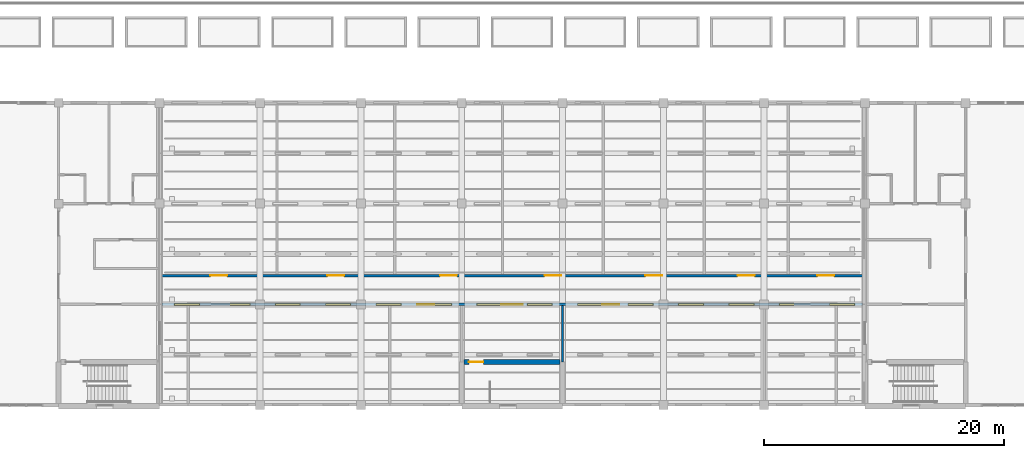
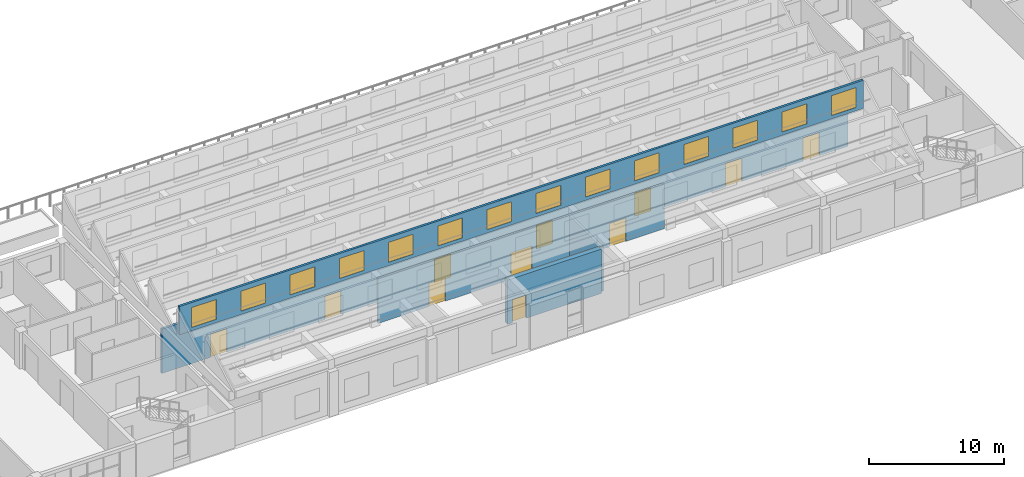
# One storey, part 34 of 61: 14 windows, 11 doors, 5 walls, 25 openings.
"""IFC4 building model written with IfcOpenShell, lengths in metres."""

from ifc_helpers import new_model, si_unit, direction, frame, frame_2d, origin, place, context, subcontext, project, spatial, rectangle, extrude, material, layer, layer_set, type_object, element, fill, save


model = new_model("IFC4")

# Units and contexts
model_context = context("Model", 3, precision=1e-05, world=origin(), true_north=direction((0.0, 1.0)))
body_context = subcontext(model_context, "Body", "Model", "MODEL_VIEW")
ifc_project = project(units=[si_unit("LENGTHUNIT", "METRE"), si_unit("AREAUNIT", "SQUARE_METRE"), si_unit("VOLUMEUNIT", "CUBIC_METRE"), si_unit("PLANEANGLEUNIT", "RADIAN"), si_unit("MASSUNIT", "GRAM", prefix="KILO")], contexts=[model_context])

# Site, building, storey
site_placement = place(None, origin())
site = spatial("IfcSite", under=ifc_project, at=site_placement, CompositionType="ELEMENT")
building_placement = place(site_placement, origin())
building = spatial("IfcBuilding", under=site, at=building_placement, Name="Yavir Park General Hospital", CompositionType="ELEMENT")
storey_placement = place(building_placement, frame((0.0, 0.0, 15.300048828125)))
storey = spatial("IfcBuildingStorey", under=building, at=storey_placement, Name="L03", CompositionType="ELEMENT", Elevation=15.300048828125)

# Wall, openings, doors
ifc_material_1 = material(Name="Double gypsum board fire partition on steel studs", Category="steel")
ifc_layer_1 = layer(ifc_material_1, 0.199951171875)
ifc_layer_set_1 = layer_set([ifc_layer_1], Name="Double gypsum board fire partition on steel studs")
wall_type_1 = type_object("IfcWallType", Name="Fire-rated partition 200, EI 60", PredefinedType="PARTITIONING", material=ifc_layer_set_1)
wall_1_placement = place(storey_placement, frame((59.175048828125, 8.39990234375, 0.0), z_axis=(0.0, 0.0, 1.0), x_axis=(1.0, 0.0, 0.0)))
wall_1 = element("IfcWall", 1, at=wall_1_placement, inside=storey, type_object=wall_type_1, Name="FP20 L03-020", PredefinedType="PARTITIONING", context=body_context, shape_type="SweptSolid", body=[
    extrude(rectangle(XDim=24.449951171875, YDim=0.199951171875, at=frame_2d((12.22509765625, 0.0))), origin(), (0.0, 0.0, 1.0), 4.0),
])
opening_1_placement = place(wall_1_placement, frame((4.324951171875, 0.0, 0.0)))
opening_1 = element("IfcOpeningElement", 2, at=opening_1_placement, cuts=wall_1, Name="Opening L03.D027", PredefinedType="OPENING", context=body_context, shape_type="SweptSolid", body=[
    extrude(rectangle(XDim=1.39990234375, YDim=2.10009765625, at=frame_2d((0.699951171875, 1.050048828125))), frame((0.0, 0.10986328125, 0.0), z_axis=(0.0, -1.0, 0.0), x_axis=(1.0, 0.0, 0.0)), (0.0, 0.0, 1.0), 0.219970703125),
])
opening_2_placement = place(wall_1_placement, frame((11.324951171875, 0.0, 0.0)))
opening_2 = element("IfcOpeningElement", 3, at=opening_2_placement, cuts=wall_1, Name="Opening L03.D028", PredefinedType="OPENING", context=body_context, shape_type="SweptSolid", body=[
    extrude(rectangle(XDim=1.800048828125, YDim=2.39990234375, at=frame_2d((0.89990234375, 1.199951171875))), frame((0.0, 0.10986328125, 0.0), z_axis=(0.0, -1.0, 0.0), x_axis=(1.0, 0.0, 0.0)), (0.0, 0.0, 1.0), 0.219970703125),
])
opening_3_placement = place(wall_1_placement, frame((19.737548828125, 0.0, 0.0)))
opening_3 = element("IfcOpeningElement", 4, at=opening_3_placement, cuts=wall_1, Name="Opening L03.D029", PredefinedType="OPENING", context=body_context, shape_type="SweptSolid", body=[
    extrude(rectangle(XDim=1.39990234375, YDim=2.10009765625, at=frame_2d((0.699951171875, 1.050048828125))), frame((0.0, 0.10986328125, 0.0), z_axis=(0.0, -1.0, 0.0), x_axis=(1.0, 0.0, 0.0)), (0.0, 0.0, 1.0), 0.219970703125),
])
ifc_material_2 = material(Name="Steel frame, fire-resisting timber leaves", Category="steel")
door_type_1 = type_object("IfcDoorType", Name="Double fire door 1400 x 2100, EI 60", OperationType="DOUBLE_DOOR_SINGLE_SWING", PredefinedType="DOOR", material=ifc_material_2)
door_1_placement = place(opening_1_placement, origin())
door_1 = element("IfcDoor", 5, at=door_1_placement, inside=storey, type_object=door_type_1, Name="L03.D027", OperationType="SINGLE_SWING_LEFT", OverallHeight=2.10009765625, OverallWidth=1.39990234375, PredefinedType="DOOR", context=body_context, shape_type="SweptSolid", body=[
    extrude(rectangle(XDim=1.39990234375, YDim=2.10009765625, at=frame_2d((0.699951171875, 1.050048828125))), frame((0.0, 0.02490234375, 0.0), z_axis=(0.0, -1.0, 0.0), x_axis=(1.0, 0.0, 0.0)), (0.0, 0.0, 1.0), 0.050048828125),
])
fill(opening_1, door_1)
door_2_placement = place(opening_3_placement, origin())
door_2 = element("IfcDoor", 6, at=door_2_placement, inside=storey, type_object=door_type_1, Name="L03.D029", OperationType="SINGLE_SWING_LEFT", OverallHeight=2.10009765625, OverallWidth=1.39990234375, PredefinedType="DOOR", context=body_context, shape_type="SweptSolid", body=[
    extrude(rectangle(XDim=1.39990234375, YDim=2.10009765625, at=frame_2d((0.699951171875, 1.050048828125))), frame((0.0, 0.02490234375, 0.0), z_axis=(0.0, -1.0, 0.0), x_axis=(1.0, 0.0, 0.0)), (0.0, 0.0, 1.0), 0.050048828125),
])
fill(opening_3, door_2)
ifc_material_3 = material(Name="Steel frame, fire-resisting leaves with vision panels", Category="steel")
door_type_2 = type_object("IfcDoorType", Name="Double fire door with vision panels 1800 x 2400, EI 60", OperationType="DOUBLE_DOOR_SINGLE_SWING", PredefinedType="DOOR", material=ifc_material_3)
door_3_placement = place(opening_2_placement, origin())
door_3 = element("IfcDoor", 7, at=door_3_placement, inside=storey, type_object=door_type_2, Name="L03.D028", OperationType="SINGLE_SWING_LEFT", OverallHeight=2.39990234375, OverallWidth=1.800048828125, PredefinedType="DOOR", context=body_context, shape_type="SweptSolid", body=[
    extrude(rectangle(XDim=1.800048828125, YDim=2.39990234375, at=frame_2d((0.89990234375, 1.199951171875))), frame((0.0, 0.030029296875, 0.0), z_axis=(0.0, -1.0, 0.0), x_axis=(1.0, 0.0, 0.0)), (0.0, 0.0, 1.0), 0.06005859375),
])
fill(opening_2, door_3)

wall_2_placement = place(storey_placement, frame((42.10009765625, 10.800048828125, 0.0), z_axis=(0.0, 0.0, 1.0), x_axis=(1.0, 0.0, 0.0)))
wall_2 = element("IfcWall", 8, at=wall_2_placement, inside=storey, type_object=wall_type_1, Name="FP20 L03-029", PredefinedType="PARTITIONING", context=body_context, shape_type="SweptSolid", body=[
    extrude(rectangle(XDim=58.574951171875, YDim=0.199951171875, at=frame_2d((29.28759765625, 0.0))), origin(), (0.0, 0.0, 1.0), 4.0),
])
opening_4_placement = place(wall_2_placement, frame((4.14990234375, 0.0, 0.0)))
opening_4 = element("IfcOpeningElement", 9, at=opening_4_placement, cuts=wall_2, Name="Opening L03.D039", PredefinedType="OPENING", context=body_context, shape_type="SweptSolid", body=[
    extrude(rectangle(XDim=1.39990234375, YDim=2.10009765625, at=frame_2d((0.699951171875, 1.050048828125))), frame((0.0, 0.10986328125, 0.0), z_axis=(0.0, -1.0, 0.0), x_axis=(1.0, 0.0, 0.0)), (0.0, 0.0, 1.0), 0.219970703125),
])
opening_5_placement = place(wall_2_placement, frame((13.89990234375, 0.0, 0.0)))
opening_5 = element("IfcOpeningElement", 10, at=opening_5_placement, cuts=wall_2, Name="Opening L03.D040", PredefinedType="OPENING", context=body_context, shape_type="SweptSolid", body=[
    extrude(rectangle(XDim=1.39990234375, YDim=2.10009765625, at=frame_2d((0.699951171875, 1.050048828125))), frame((0.0, 0.10986328125, 0.0), z_axis=(0.0, -1.0, 0.0), x_axis=(1.0, 0.0, 0.0)), (0.0, 0.0, 1.0), 0.219970703125),
])
opening_6_placement = place(wall_2_placement, frame((23.300048828125, 0.0, 0.0)))
opening_6 = element("IfcOpeningElement", 11, at=opening_6_placement, cuts=wall_2, Name="Opening L03.D041", PredefinedType="OPENING", context=body_context, shape_type="SweptSolid", body=[
    extrude(rectangle(XDim=1.39990234375, YDim=2.10009765625, at=frame_2d((0.699951171875, 1.050048828125))), frame((0.0, 0.10986328125, 0.0), z_axis=(0.0, -1.0, 0.0), x_axis=(1.0, 0.0, 0.0)), (0.0, 0.0, 1.0), 0.219970703125),
])
opening_7_placement = place(wall_2_placement, frame((32.0, 0.0, 0.0)))
opening_7 = element("IfcOpeningElement", 12, at=opening_7_placement, cuts=wall_2, Name="Opening L03.D042", PredefinedType="OPENING", context=body_context, shape_type="SweptSolid", body=[
    extrude(rectangle(XDim=1.39990234375, YDim=2.10009765625, at=frame_2d((0.699951171875, 1.050048828125))), frame((0.0, 0.10986328125, 0.0), z_axis=(0.0, -1.0, 0.0), x_axis=(1.0, 0.0, 0.0)), (0.0, 0.0, 1.0), 0.219970703125),
])
opening_8_placement = place(wall_2_placement, frame((40.39990234375, 0.0, 0.0)))
opening_8 = element("IfcOpeningElement", 13, at=opening_8_placement, cuts=wall_2, Name="Opening L03.D043", PredefinedType="OPENING", context=body_context, shape_type="SweptSolid", body=[
    extrude(rectangle(XDim=1.39990234375, YDim=2.10009765625, at=frame_2d((0.699951171875, 1.050048828125))), frame((0.0, 0.10986328125, 0.0), z_axis=(0.0, -1.0, 0.0), x_axis=(1.0, 0.0, 0.0)), (0.0, 0.0, 1.0), 0.219970703125),
])
opening_9_placement = place(wall_2_placement, frame((48.10009765625, 0.0, 0.0)))
opening_9 = element("IfcOpeningElement", 14, at=opening_9_placement, cuts=wall_2, Name="Opening L03.D044", PredefinedType="OPENING", context=body_context, shape_type="SweptSolid", body=[
    extrude(rectangle(XDim=1.39990234375, YDim=2.10009765625, at=frame_2d((0.699951171875, 1.050048828125))), frame((0.0, 0.10986328125, 0.0), z_axis=(0.0, -1.0, 0.0), x_axis=(1.0, 0.0, 0.0)), (0.0, 0.0, 1.0), 0.219970703125),
])
opening_10_placement = place(wall_2_placement, frame((54.737548828125, 0.0, 0.0)))
opening_10 = element("IfcOpeningElement", 15, at=opening_10_placement, cuts=wall_2, Name="Opening L03.D045", PredefinedType="OPENING", context=body_context, shape_type="SweptSolid", body=[
    extrude(rectangle(XDim=1.39990234375, YDim=2.10009765625, at=frame_2d((0.699951171875, 1.050048828125))), frame((0.0, 0.10986328125, 0.0), z_axis=(0.0, -1.0, 0.0), x_axis=(1.0, 0.0, 0.0)), (0.0, 0.0, 1.0), 0.219970703125),
])
door_4_placement = place(opening_4_placement, origin())
door_4 = element("IfcDoor", 16, at=door_4_placement, inside=storey, type_object=door_type_1, Name="L03.D039", OperationType="SINGLE_SWING_LEFT", OverallHeight=2.10009765625, OverallWidth=1.39990234375, PredefinedType="DOOR", context=body_context, shape_type="SweptSolid", body=[
    extrude(rectangle(XDim=1.39990234375, YDim=2.10009765625, at=frame_2d((0.699951171875, 1.050048828125))), frame((0.0, 0.02490234375, 0.0), z_axis=(0.0, -1.0, 0.0), x_axis=(1.0, 0.0, 0.0)), (0.0, 0.0, 1.0), 0.050048828125),
])
fill(opening_4, door_4)
door_5_placement = place(opening_5_placement, origin())
door_5 = element("IfcDoor", 17, at=door_5_placement, inside=storey, type_object=door_type_1, Name="L03.D040", OperationType="SINGLE_SWING_RIGHT", OverallHeight=2.10009765625, OverallWidth=1.39990234375, PredefinedType="DOOR", context=body_context, shape_type="SweptSolid", body=[
    extrude(rectangle(XDim=1.39990234375, YDim=2.10009765625, at=frame_2d((0.699951171875, 1.050048828125))), frame((0.0, 0.02490234375, 0.0), z_axis=(0.0, -1.0, 0.0), x_axis=(1.0, 0.0, 0.0)), (0.0, 0.0, 1.0), 0.050048828125),
])
fill(opening_5, door_5)
door_6_placement = place(opening_6_placement, origin())
door_6 = element("IfcDoor", 18, at=door_6_placement, inside=storey, type_object=door_type_1, Name="L03.D041", OperationType="SINGLE_SWING_RIGHT", OverallHeight=2.10009765625, OverallWidth=1.39990234375, PredefinedType="DOOR", context=body_context, shape_type="SweptSolid", body=[
    extrude(rectangle(XDim=1.39990234375, YDim=2.10009765625, at=frame_2d((0.699951171875, 1.050048828125))), frame((0.0, 0.02490234375, 0.0), z_axis=(0.0, -1.0, 0.0), x_axis=(1.0, 0.0, 0.0)), (0.0, 0.0, 1.0), 0.050048828125),
])
fill(opening_6, door_6)
door_7_placement = place(opening_7_placement, origin())
door_7 = element("IfcDoor", 19, at=door_7_placement, inside=storey, type_object=door_type_1, Name="L03.D042", OperationType="SINGLE_SWING_RIGHT", OverallHeight=2.10009765625, OverallWidth=1.39990234375, PredefinedType="DOOR", context=body_context, shape_type="SweptSolid", body=[
    extrude(rectangle(XDim=1.39990234375, YDim=2.10009765625, at=frame_2d((0.699951171875, 1.050048828125))), frame((0.0, 0.02490234375, 0.0), z_axis=(0.0, -1.0, 0.0), x_axis=(1.0, 0.0, 0.0)), (0.0, 0.0, 1.0), 0.050048828125),
])
fill(opening_7, door_7)
door_8_placement = place(opening_8_placement, origin())
door_8 = element("IfcDoor", 20, at=door_8_placement, inside=storey, type_object=door_type_1, Name="L03.D043", OperationType="SINGLE_SWING_RIGHT", OverallHeight=2.10009765625, OverallWidth=1.39990234375, PredefinedType="DOOR", context=body_context, shape_type="SweptSolid", body=[
    extrude(rectangle(XDim=1.39990234375, YDim=2.10009765625, at=frame_2d((0.699951171875, 1.050048828125))), frame((0.0, 0.02490234375, 0.0), z_axis=(0.0, -1.0, 0.0), x_axis=(1.0, 0.0, 0.0)), (0.0, 0.0, 1.0), 0.050048828125),
])
fill(opening_8, door_8)
door_9_placement = place(opening_9_placement, origin())
door_9 = element("IfcDoor", 21, at=door_9_placement, inside=storey, type_object=door_type_1, Name="L03.D044", OperationType="SINGLE_SWING_RIGHT", OverallHeight=2.10009765625, OverallWidth=1.39990234375, PredefinedType="DOOR", context=body_context, shape_type="SweptSolid", body=[
    extrude(rectangle(XDim=1.39990234375, YDim=2.10009765625, at=frame_2d((0.699951171875, 1.050048828125))), frame((0.0, 0.02490234375, 0.0), z_axis=(0.0, -1.0, 0.0), x_axis=(1.0, 0.0, 0.0)), (0.0, 0.0, 1.0), 0.050048828125),
])
fill(opening_9, door_9)
door_10_placement = place(opening_10_placement, origin())
door_10 = element("IfcDoor", 22, at=door_10_placement, inside=storey, type_object=door_type_1, Name="L03.D045", OperationType="SINGLE_SWING_RIGHT", OverallHeight=2.10009765625, OverallWidth=1.39990234375, PredefinedType="DOOR", context=body_context, shape_type="SweptSolid", body=[
    extrude(rectangle(XDim=1.39990234375, YDim=2.10009765625, at=frame_2d((0.699951171875, 1.050048828125))), frame((0.0, 0.02490234375, 0.0), z_axis=(0.0, -1.0, 0.0), x_axis=(1.0, 0.0, 0.0)), (0.0, 0.0, 1.0), 0.050048828125),
])
fill(opening_10, door_10)

# Wall
wall_3_placement = place(storey_placement, frame((75.60009765625, 3.60009765625, 0.0), z_axis=(0.0, 0.0, 1.0), x_axis=(0.0, 1.0, 0.0)))
element("IfcWall", 23, at=wall_3_placement, inside=storey, type_object=wall_type_1, Name="FP20 L03-237", PredefinedType="PARTITIONING", context=body_context, shape_type="SweptSolid", body=[
    extrude(rectangle(XDim=4.699951171875, YDim=0.199951171875, at=frame_2d((2.35009765625, 0.0))), origin(), (0.0, 0.0, 1.0), 4.0),
])

# Wall, opening, door
ifc_material_4 = material(Name="Concrete C35/45", Category="concrete")
ifc_layer_2 = layer(ifc_material_4, 0.39990234375)
ifc_layer_set_2 = layer_set([ifc_layer_2], Name="Concrete C35/45")
wall_type_2 = type_object("IfcWallType", Name="Reinforced concrete core wall 400, REI 150", PredefinedType="SHEAR", material=ifc_layer_set_2)
wall_4_placement = place(storey_placement, frame((67.39990234375, 3.60009765625, 0.0), z_axis=(0.0, 0.0, 1.0), x_axis=(1.0, 0.0, 0.0)))
wall_4 = element("IfcWall", 24, at=wall_4_placement, inside=storey, type_object=wall_type_2, Name="CW40 L03-002", PredefinedType="SHEAR", context=body_context, shape_type="SweptSolid", body=[
    extrude(rectangle(XDim=8.0, YDim=0.39990234375, at=frame_2d((4.0, 0.0))), origin(), (0.0, 0.0, 1.0), 4.0),
])
opening_11_placement = place(wall_4_placement, frame((0.39990234375, 0.0, 0.0)))
opening_11 = element("IfcOpeningElement", 25, at=opening_11_placement, cuts=wall_4, Name="Opening L03.D002", PredefinedType="OPENING", context=body_context, shape_type="SweptSolid", body=[
    extrude(rectangle(XDim=1.199951171875, YDim=2.10009765625, at=frame_2d((0.60009765625, 1.050048828125))), frame((0.0, 0.2099609375, 0.0), z_axis=(0.0, -1.0, 0.0), x_axis=(1.0, 0.0, 0.0)), (0.0, 0.0, 1.0), 0.419921875),
])
ifc_material_5 = material(Name="Steel frame, fire-resisting timber leaf", Category="steel")
door_type_3 = type_object("IfcDoorType", Name="Fire door 1200 x 2100, EI 60", OperationType="SINGLE_SWING_LEFT", PredefinedType="DOOR", material=ifc_material_5)
door_11_placement = place(opening_11_placement, origin())
door_11 = element("IfcDoor", 26, at=door_11_placement, inside=storey, type_object=door_type_3, Name="L03.D002", OperationType="SINGLE_SWING_LEFT", OverallHeight=2.10009765625, OverallWidth=1.199951171875, PredefinedType="DOOR", context=body_context, shape_type="SweptSolid", body=[
    extrude(rectangle(XDim=1.199951171875, YDim=2.10009765625, at=frame_2d((0.60009765625, 1.050048828125))), frame((0.0, 0.02490234375, 0.0), z_axis=(0.0, -1.0, 0.0), x_axis=(1.0, 0.0, 0.0)), (0.0, 0.0, 1.0), 0.050048828125),
])
fill(opening_11, door_11)

# Wall, openings, windows
ifc_material_6 = material(Name="Concrete C30/37 upstand with 80 mm mineral wool insulation", Category="concrete")
ifc_layer_3 = layer(ifc_material_6, 0.199951171875)
ifc_layer_set_3 = layer_set([ifc_layer_3], Name="Concrete C30/37 upstand with 80 mm mineral wool insulation")
wall_type_3 = type_object("IfcWallType", Name="Reinforced concrete louvre upstand wall 200, E 30", PredefinedType="SOLIDWALL", material=ifc_layer_set_3)
wall_5_placement = place(storey_placement, frame((42.2099609375, 8.39990234375, 4.904052734375), z_axis=(0.0, 0.0, 1.0), x_axis=(1.0, 0.0, 0.0)))
wall_5 = element("IfcWall", 27, at=wall_5_placement, inside=storey, type_object=wall_type_3, Name="XW11 L03-S02", PredefinedType="SOLIDWALL", context=body_context, shape_type="SweptSolid", body=[
    extrude(rectangle(XDim=58.380126953125, YDim=0.199951171875, at=frame_2d((29.18994140625, 0.0))), origin(), (0.0, 0.0, 1.0), 2.538818359375),
])
opening_12_placement = place(wall_5_placement, frame((1.050048828125, 0.0, 0.300048828125)))
opening_12 = element("IfcOpeningElement", 28, at=opening_12_placement, cuts=wall_5, Name="Opening LV5", PredefinedType="OPENING", context=body_context, shape_type="SweptSolid", body=[
    extrude(rectangle(XDim=2.10009765625, YDim=1.800048828125, at=frame_2d((1.050048828125, 0.89990234375))), frame((0.0, 0.10986328125, 0.0), z_axis=(0.0, -1.0, 0.0), x_axis=(1.0, 0.0, 0.0)), (0.0, 0.0, 1.0), 0.219970703125),
])
opening_13_placement = place(wall_5_placement, frame((5.25, 0.0, 0.300048828125)))
opening_13 = element("IfcOpeningElement", 29, at=opening_13_placement, cuts=wall_5, Name="Opening LV5", PredefinedType="OPENING", context=body_context, shape_type="SweptSolid", body=[
    extrude(rectangle(XDim=2.10009765625, YDim=1.800048828125, at=frame_2d((1.050048828125, 0.89990234375))), frame((0.0, 0.10986328125, 0.0), z_axis=(0.0, -1.0, 0.0), x_axis=(1.0, 0.0, 0.0)), (0.0, 0.0, 1.0), 0.219970703125),
])
opening_14_placement = place(wall_5_placement, frame((9.449951171875, 0.0, 0.300048828125)))
opening_14 = element("IfcOpeningElement", 30, at=opening_14_placement, cuts=wall_5, Name="Opening LV5", PredefinedType="OPENING", context=body_context, shape_type="SweptSolid", body=[
    extrude(rectangle(XDim=2.10009765625, YDim=1.800048828125, at=frame_2d((1.050048828125, 0.89990234375))), frame((0.0, 0.10986328125, 0.0), z_axis=(0.0, -1.0, 0.0), x_axis=(1.0, 0.0, 0.0)), (0.0, 0.0, 1.0), 0.219970703125),
])
opening_15_placement = place(wall_5_placement, frame((13.64990234375, 0.0, 0.300048828125)))
opening_15 = element("IfcOpeningElement", 31, at=opening_15_placement, cuts=wall_5, Name="Opening LV5", PredefinedType="OPENING", context=body_context, shape_type="SweptSolid", body=[
    extrude(rectangle(XDim=2.10009765625, YDim=1.800048828125, at=frame_2d((1.050048828125, 0.89990234375))), frame((0.0, 0.10986328125, 0.0), z_axis=(0.0, -1.0, 0.0), x_axis=(1.0, 0.0, 0.0)), (0.0, 0.0, 1.0), 0.219970703125),
])
opening_16_placement = place(wall_5_placement, frame((17.85009765625, 0.0, 0.300048828125)))
opening_16 = element("IfcOpeningElement", 32, at=opening_16_placement, cuts=wall_5, Name="Opening LV5", PredefinedType="OPENING", context=body_context, shape_type="SweptSolid", body=[
    extrude(rectangle(XDim=2.10009765625, YDim=1.800048828125, at=frame_2d((1.050048828125, 0.89990234375))), frame((0.0, 0.10986328125, 0.0), z_axis=(0.0, -1.0, 0.0), x_axis=(1.0, 0.0, 0.0)), (0.0, 0.0, 1.0), 0.219970703125),
])
opening_17_placement = place(wall_5_placement, frame((22.050048828125, 0.0, 0.300048828125)))
opening_17 = element("IfcOpeningElement", 33, at=opening_17_placement, cuts=wall_5, Name="Opening LV5", PredefinedType="OPENING", context=body_context, shape_type="SweptSolid", body=[
    extrude(rectangle(XDim=2.10009765625, YDim=1.800048828125, at=frame_2d((1.050048828125, 0.89990234375))), frame((0.0, 0.10986328125, 0.0), z_axis=(0.0, -1.0, 0.0), x_axis=(1.0, 0.0, 0.0)), (0.0, 0.0, 1.0), 0.219970703125),
])
opening_18_placement = place(wall_5_placement, frame((26.25, 0.0, 0.300048828125)))
opening_18 = element("IfcOpeningElement", 34, at=opening_18_placement, cuts=wall_5, Name="Opening LV5", PredefinedType="OPENING", context=body_context, shape_type="SweptSolid", body=[
    extrude(rectangle(XDim=2.10009765625, YDim=1.800048828125, at=frame_2d((1.050048828125, 0.89990234375))), frame((0.0, 0.10986328125, 0.0), z_axis=(0.0, -1.0, 0.0), x_axis=(1.0, 0.0, 0.0)), (0.0, 0.0, 1.0), 0.219970703125),
])
opening_19_placement = place(wall_5_placement, frame((30.449951171875, 0.0, 0.300048828125)))
opening_19 = element("IfcOpeningElement", 35, at=opening_19_placement, cuts=wall_5, Name="Opening LV5", PredefinedType="OPENING", context=body_context, shape_type="SweptSolid", body=[
    extrude(rectangle(XDim=2.10009765625, YDim=1.800048828125, at=frame_2d((1.050048828125, 0.89990234375))), frame((0.0, 0.10986328125, 0.0), z_axis=(0.0, -1.0, 0.0), x_axis=(1.0, 0.0, 0.0)), (0.0, 0.0, 1.0), 0.219970703125),
])
opening_20_placement = place(wall_5_placement, frame((34.64990234375, 0.0, 0.300048828125)))
opening_20 = element("IfcOpeningElement", 36, at=opening_20_placement, cuts=wall_5, Name="Opening LV5", PredefinedType="OPENING", context=body_context, shape_type="SweptSolid", body=[
    extrude(rectangle(XDim=2.10009765625, YDim=1.800048828125, at=frame_2d((1.050048828125, 0.89990234375))), frame((0.0, 0.10986328125, 0.0), z_axis=(0.0, -1.0, 0.0), x_axis=(1.0, 0.0, 0.0)), (0.0, 0.0, 1.0), 0.219970703125),
])
opening_21_placement = place(wall_5_placement, frame((38.85009765625, 0.0, 0.300048828125)))
opening_21 = element("IfcOpeningElement", 37, at=opening_21_placement, cuts=wall_5, Name="Opening LV5", PredefinedType="OPENING", context=body_context, shape_type="SweptSolid", body=[
    extrude(rectangle(XDim=2.10009765625, YDim=1.800048828125, at=frame_2d((1.050048828125, 0.89990234375))), frame((0.0, 0.10986328125, 0.0), z_axis=(0.0, -1.0, 0.0), x_axis=(1.0, 0.0, 0.0)), (0.0, 0.0, 1.0), 0.219970703125),
])
opening_22_placement = place(wall_5_placement, frame((43.050048828125, 0.0, 0.300048828125)))
opening_22 = element("IfcOpeningElement", 38, at=opening_22_placement, cuts=wall_5, Name="Opening LV5", PredefinedType="OPENING", context=body_context, shape_type="SweptSolid", body=[
    extrude(rectangle(XDim=2.10009765625, YDim=1.800048828125, at=frame_2d((1.050048828125, 0.89990234375))), frame((0.0, 0.10986328125, 0.0), z_axis=(0.0, -1.0, 0.0), x_axis=(1.0, 0.0, 0.0)), (0.0, 0.0, 1.0), 0.219970703125),
])
opening_23_placement = place(wall_5_placement, frame((47.25, 0.0, 0.300048828125)))
opening_23 = element("IfcOpeningElement", 39, at=opening_23_placement, cuts=wall_5, Name="Opening LV5", PredefinedType="OPENING", context=body_context, shape_type="SweptSolid", body=[
    extrude(rectangle(XDim=2.10009765625, YDim=1.800048828125, at=frame_2d((1.050048828125, 0.89990234375))), frame((0.0, 0.10986328125, 0.0), z_axis=(0.0, -1.0, 0.0), x_axis=(1.0, 0.0, 0.0)), (0.0, 0.0, 1.0), 0.219970703125),
])
opening_24_placement = place(wall_5_placement, frame((51.449951171875, 0.0, 0.300048828125)))
opening_24 = element("IfcOpeningElement", 40, at=opening_24_placement, cuts=wall_5, Name="Opening LV5", PredefinedType="OPENING", context=body_context, shape_type="SweptSolid", body=[
    extrude(rectangle(XDim=2.10009765625, YDim=1.800048828125, at=frame_2d((1.050048828125, 0.89990234375))), frame((0.0, 0.10986328125, 0.0), z_axis=(0.0, -1.0, 0.0), x_axis=(1.0, 0.0, 0.0)), (0.0, 0.0, 1.0), 0.219970703125),
])
opening_25_placement = place(wall_5_placement, frame((55.64990234375, 0.0, 0.300048828125)))
opening_25 = element("IfcOpeningElement", 41, at=opening_25_placement, cuts=wall_5, Name="Opening LV5", PredefinedType="OPENING", context=body_context, shape_type="SweptSolid", body=[
    extrude(rectangle(XDim=2.10009765625, YDim=1.800048828125, at=frame_2d((1.050048828125, 0.89990234375))), frame((0.0, 0.10986328125, 0.0), z_axis=(0.0, -1.0, 0.0), x_axis=(1.0, 0.0, 0.0)), (0.0, 0.0, 1.0), 0.219970703125),
])
ifc_material_7 = material(Name="Anodised aluminium louvre blades in a deep frame", Category="aluminium")
window_type = type_object("IfcWindowType", Name="Sawtooth louvre 2100 x 1800", PartitioningType="SINGLE_PANEL", PredefinedType="WINDOW", material=ifc_material_7)
window_1_placement = place(opening_12_placement, origin())
window_1 = element("IfcWindow", 42, at=window_1_placement, inside=storey, type_object=window_type, Name="LV5 L03-S02-01", OverallHeight=1.800048828125, OverallWidth=2.10009765625, PartitioningType="SINGLE_PANEL", PredefinedType="WINDOW", context=body_context, shape_type="SweptSolid", body=[
    extrude(rectangle(XDim=2.10009765625, YDim=1.800048828125, at=frame_2d((1.050048828125, 0.89990234375))), frame((0.0, 0.074951171875, 0.0), z_axis=(0.0, -1.0, 0.0), x_axis=(1.0, 0.0, 0.0)), (0.0, 0.0, 1.0), 0.14990234375),
])
fill(opening_12, window_1)
window_2_placement = place(opening_13_placement, origin())
window_2 = element("IfcWindow", 43, at=window_2_placement, inside=storey, type_object=window_type, Name="LV5 L03-S02-02", OverallHeight=1.800048828125, OverallWidth=2.10009765625, PartitioningType="SINGLE_PANEL", PredefinedType="WINDOW", context=body_context, shape_type="SweptSolid", body=[
    extrude(rectangle(XDim=2.10009765625, YDim=1.800048828125, at=frame_2d((1.050048828125, 0.89990234375))), frame((0.0, 0.074951171875, 0.0), z_axis=(0.0, -1.0, 0.0), x_axis=(1.0, 0.0, 0.0)), (0.0, 0.0, 1.0), 0.14990234375),
])
fill(opening_13, window_2)
window_3_placement = place(opening_14_placement, origin())
window_3 = element("IfcWindow", 44, at=window_3_placement, inside=storey, type_object=window_type, Name="LV5 L03-S02-03", OverallHeight=1.800048828125, OverallWidth=2.10009765625, PartitioningType="SINGLE_PANEL", PredefinedType="WINDOW", context=body_context, shape_type="SweptSolid", body=[
    extrude(rectangle(XDim=2.10009765625, YDim=1.800048828125, at=frame_2d((1.050048828125, 0.89990234375))), frame((0.0, 0.074951171875, 0.0), z_axis=(0.0, -1.0, 0.0), x_axis=(1.0, 0.0, 0.0)), (0.0, 0.0, 1.0), 0.14990234375),
])
fill(opening_14, window_3)
window_4_placement = place(opening_15_placement, origin())
window_4 = element("IfcWindow", 45, at=window_4_placement, inside=storey, type_object=window_type, Name="LV5 L03-S02-04", OverallHeight=1.800048828125, OverallWidth=2.10009765625, PartitioningType="SINGLE_PANEL", PredefinedType="WINDOW", context=body_context, shape_type="SweptSolid", body=[
    extrude(rectangle(XDim=2.10009765625, YDim=1.800048828125, at=frame_2d((1.050048828125, 0.89990234375))), frame((0.0, 0.074951171875, 0.0), z_axis=(0.0, -1.0, 0.0), x_axis=(1.0, 0.0, 0.0)), (0.0, 0.0, 1.0), 0.14990234375),
])
fill(opening_15, window_4)
window_5_placement = place(opening_16_placement, origin())
window_5 = element("IfcWindow", 46, at=window_5_placement, inside=storey, type_object=window_type, Name="LV5 L03-S02-05", OverallHeight=1.800048828125, OverallWidth=2.10009765625, PartitioningType="SINGLE_PANEL", PredefinedType="WINDOW", context=body_context, shape_type="SweptSolid", body=[
    extrude(rectangle(XDim=2.10009765625, YDim=1.800048828125, at=frame_2d((1.050048828125, 0.89990234375))), frame((0.0, 0.074951171875, 0.0), z_axis=(0.0, -1.0, 0.0), x_axis=(1.0, 0.0, 0.0)), (0.0, 0.0, 1.0), 0.14990234375),
])
fill(opening_16, window_5)
window_6_placement = place(opening_17_placement, origin())
window_6 = element("IfcWindow", 47, at=window_6_placement, inside=storey, type_object=window_type, Name="LV5 L03-S02-06", OverallHeight=1.800048828125, OverallWidth=2.10009765625, PartitioningType="SINGLE_PANEL", PredefinedType="WINDOW", context=body_context, shape_type="SweptSolid", body=[
    extrude(rectangle(XDim=2.10009765625, YDim=1.800048828125, at=frame_2d((1.050048828125, 0.89990234375))), frame((0.0, 0.074951171875, 0.0), z_axis=(0.0, -1.0, 0.0), x_axis=(1.0, 0.0, 0.0)), (0.0, 0.0, 1.0), 0.14990234375),
])
fill(opening_17, window_6)
window_7_placement = place(opening_18_placement, origin())
window_7 = element("IfcWindow", 48, at=window_7_placement, inside=storey, type_object=window_type, Name="LV5 L03-S02-07", OverallHeight=1.800048828125, OverallWidth=2.10009765625, PartitioningType="SINGLE_PANEL", PredefinedType="WINDOW", context=body_context, shape_type="SweptSolid", body=[
    extrude(rectangle(XDim=2.10009765625, YDim=1.800048828125, at=frame_2d((1.050048828125, 0.89990234375))), frame((0.0, 0.074951171875, 0.0), z_axis=(0.0, -1.0, 0.0), x_axis=(1.0, 0.0, 0.0)), (0.0, 0.0, 1.0), 0.14990234375),
])
fill(opening_18, window_7)
window_8_placement = place(opening_19_placement, origin())
window_8 = element("IfcWindow", 49, at=window_8_placement, inside=storey, type_object=window_type, Name="LV5 L03-S02-08", OverallHeight=1.800048828125, OverallWidth=2.10009765625, PartitioningType="SINGLE_PANEL", PredefinedType="WINDOW", context=body_context, shape_type="SweptSolid", body=[
    extrude(rectangle(XDim=2.10009765625, YDim=1.800048828125, at=frame_2d((1.050048828125, 0.89990234375))), frame((0.0, 0.074951171875, 0.0), z_axis=(0.0, -1.0, 0.0), x_axis=(1.0, 0.0, 0.0)), (0.0, 0.0, 1.0), 0.14990234375),
])
fill(opening_19, window_8)
window_9_placement = place(opening_20_placement, origin())
window_9 = element("IfcWindow", 50, at=window_9_placement, inside=storey, type_object=window_type, Name="LV5 L03-S02-09", OverallHeight=1.800048828125, OverallWidth=2.10009765625, PartitioningType="SINGLE_PANEL", PredefinedType="WINDOW", context=body_context, shape_type="SweptSolid", body=[
    extrude(rectangle(XDim=2.10009765625, YDim=1.800048828125, at=frame_2d((1.050048828125, 0.89990234375))), frame((0.0, 0.074951171875, 0.0), z_axis=(0.0, -1.0, 0.0), x_axis=(1.0, 0.0, 0.0)), (0.0, 0.0, 1.0), 0.14990234375),
])
fill(opening_20, window_9)
window_10_placement = place(opening_21_placement, origin())
window_10 = element("IfcWindow", 51, at=window_10_placement, inside=storey, type_object=window_type, Name="LV5 L03-S02-10", OverallHeight=1.800048828125, OverallWidth=2.10009765625, PartitioningType="SINGLE_PANEL", PredefinedType="WINDOW", context=body_context, shape_type="SweptSolid", body=[
    extrude(rectangle(XDim=2.10009765625, YDim=1.800048828125, at=frame_2d((1.050048828125, 0.89990234375))), frame((0.0, 0.074951171875, 0.0), z_axis=(0.0, -1.0, 0.0), x_axis=(1.0, 0.0, 0.0)), (0.0, 0.0, 1.0), 0.14990234375),
])
fill(opening_21, window_10)
window_11_placement = place(opening_22_placement, origin())
window_11 = element("IfcWindow", 52, at=window_11_placement, inside=storey, type_object=window_type, Name="LV5 L03-S02-11", OverallHeight=1.800048828125, OverallWidth=2.10009765625, PartitioningType="SINGLE_PANEL", PredefinedType="WINDOW", context=body_context, shape_type="SweptSolid", body=[
    extrude(rectangle(XDim=2.10009765625, YDim=1.800048828125, at=frame_2d((1.050048828125, 0.89990234375))), frame((0.0, 0.074951171875, 0.0), z_axis=(0.0, -1.0, 0.0), x_axis=(1.0, 0.0, 0.0)), (0.0, 0.0, 1.0), 0.14990234375),
])
fill(opening_22, window_11)
window_12_placement = place(opening_23_placement, origin())
window_12 = element("IfcWindow", 53, at=window_12_placement, inside=storey, type_object=window_type, Name="LV5 L03-S02-12", OverallHeight=1.800048828125, OverallWidth=2.10009765625, PartitioningType="SINGLE_PANEL", PredefinedType="WINDOW", context=body_context, shape_type="SweptSolid", body=[
    extrude(rectangle(XDim=2.10009765625, YDim=1.800048828125, at=frame_2d((1.050048828125, 0.89990234375))), frame((0.0, 0.074951171875, 0.0), z_axis=(0.0, -1.0, 0.0), x_axis=(1.0, 0.0, 0.0)), (0.0, 0.0, 1.0), 0.14990234375),
])
fill(opening_23, window_12)
window_13_placement = place(opening_24_placement, origin())
window_13 = element("IfcWindow", 54, at=window_13_placement, inside=storey, type_object=window_type, Name="LV5 L03-S02-13", OverallHeight=1.800048828125, OverallWidth=2.10009765625, PartitioningType="SINGLE_PANEL", PredefinedType="WINDOW", context=body_context, shape_type="SweptSolid", body=[
    extrude(rectangle(XDim=2.10009765625, YDim=1.800048828125, at=frame_2d((1.050048828125, 0.89990234375))), frame((0.0, 0.074951171875, 0.0), z_axis=(0.0, -1.0, 0.0), x_axis=(1.0, 0.0, 0.0)), (0.0, 0.0, 1.0), 0.14990234375),
])
fill(opening_24, window_13)
window_14_placement = place(opening_25_placement, origin())
window_14 = element("IfcWindow", 55, at=window_14_placement, inside=storey, type_object=window_type, Name="LV5 L03-S02-14", OverallHeight=1.800048828125, OverallWidth=2.10009765625, PartitioningType="SINGLE_PANEL", PredefinedType="WINDOW", context=body_context, shape_type="SweptSolid", body=[
    extrude(rectangle(XDim=2.10009765625, YDim=1.800048828125, at=frame_2d((1.050048828125, 0.89990234375))), frame((0.0, 0.074951171875, 0.0), z_axis=(0.0, -1.0, 0.0), x_axis=(1.0, 0.0, 0.0)), (0.0, 0.0, 1.0), 0.14990234375),
])
fill(opening_25, window_14)

save(model, "model.ifc")
